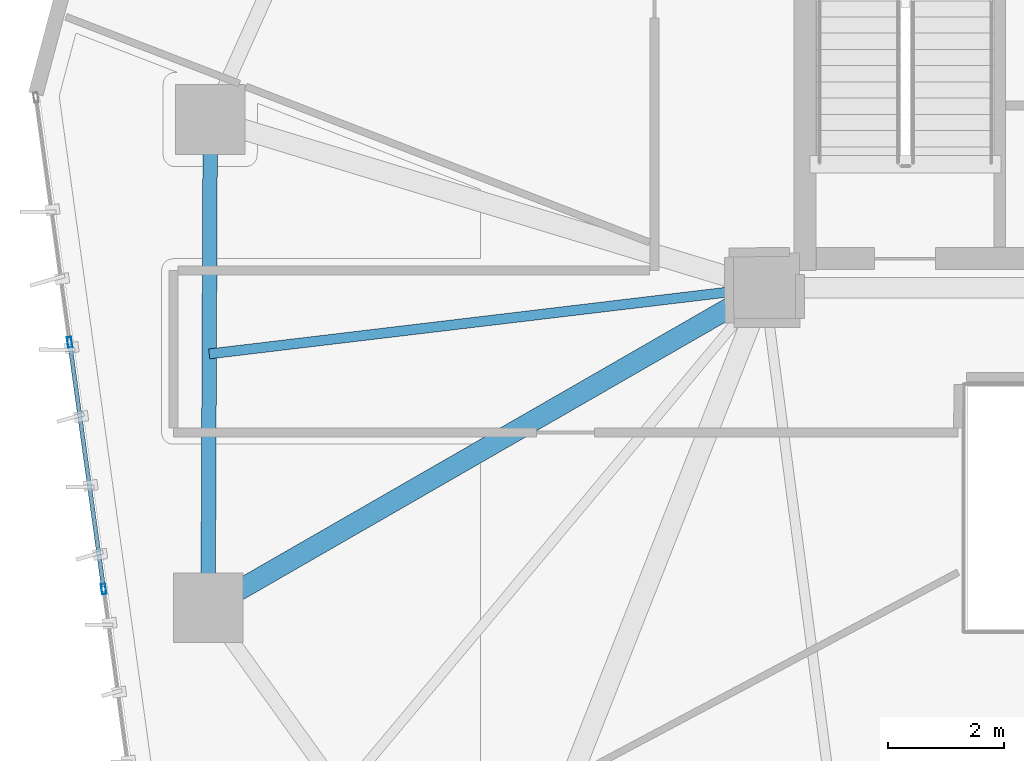
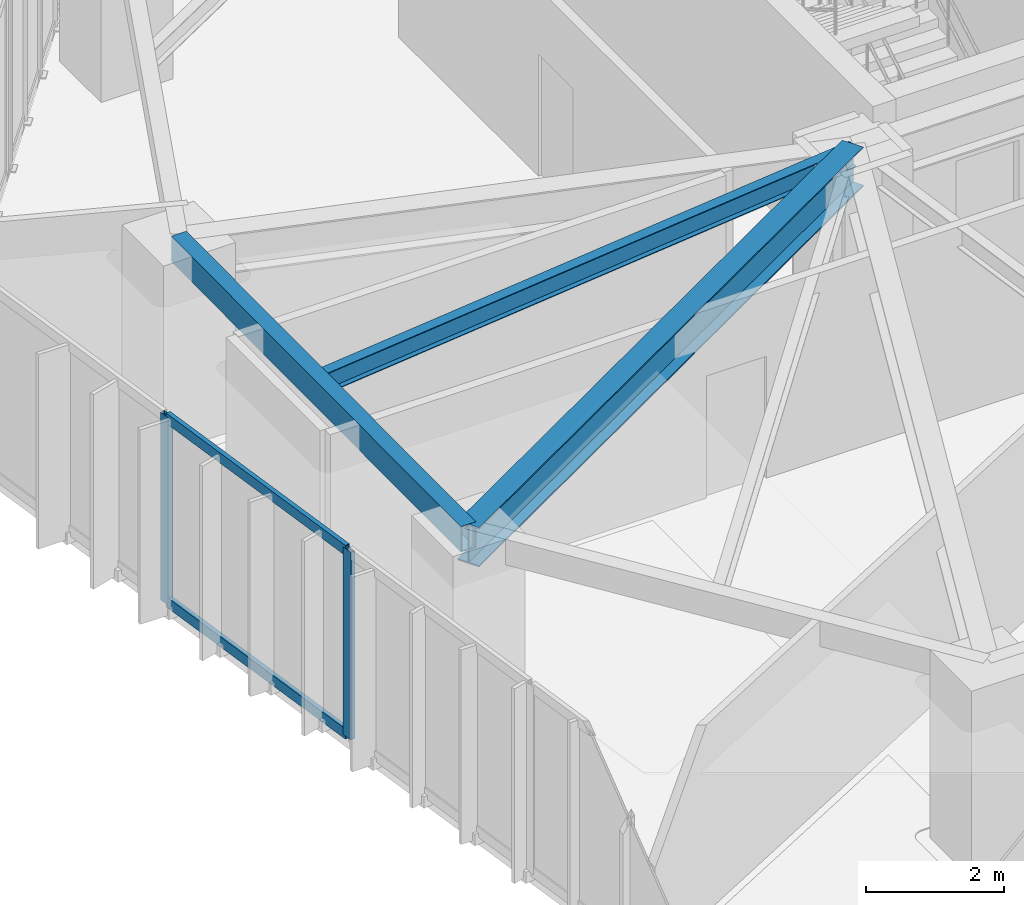
# One storey, part 4 of 22: 4 members, 3 beams, 1 element without a shape of its own.
"""IFC4 building model written with IfcOpenShell, lengths in metres."""

from ifc_helpers import new_model, si_unit, direction, frame, origin, origin_2d, place, context, subcontext, project, spatial, hollow_rectangle, i_section, extrude, source, transform, mapped, material, layer, layer_set, material_profile, profile_set, type_object, type_shapes, element, aggregate, save


model = new_model("IFC4")

# Units and contexts
model_context = context("Model", 3, precision=1e-05, world=origin(), true_north=direction((0.0, 1.0)))
body_context = subcontext(model_context, "Body", "Model", "MODEL_VIEW")
ifc_project = project(units=[si_unit("LENGTHUNIT", "METRE"), si_unit("AREAUNIT", "SQUARE_METRE"), si_unit("VOLUMEUNIT", "CUBIC_METRE"), si_unit("PLANEANGLEUNIT", "RADIAN"), si_unit("MASSUNIT", "GRAM", prefix="KILO")], contexts=[model_context])

# Site, building, storey
site_placement = place(None, origin())
site = spatial("IfcSite", under=ifc_project, at=site_placement, CompositionType="ELEMENT")
building_placement = place(site_placement, origin())
building = spatial("IfcBuilding", under=site, at=building_placement, Name="Talar Marvaseh", CompositionType="ELEMENT")
storey_placement = place(building_placement, frame((0.0, 0.0, 107.39990234375)))
storey = spatial("IfcBuildingStorey", under=building, at=storey_placement, Name="L27", CompositionType="ELEMENT", Elevation=107.39990234375)

# Beams
ifc_material_1 = material(Name="Steel S355", Category="steel")
ifc_material_profile_1 = material_profile(ifc_material_1, hollow_rectangle(XDim=0.25, YDim=0.449951171875, WallThickness=0.01611328125, at=origin_2d()), Name="RHS450x250x16")
ifc_profile_set_1 = profile_set([ifc_material_profile_1], Name="Steel S355")
beam_type_1 = type_object("IfcBeamType", Name="Zone 2 Perimeter Spandrel Beam RHS450x250x16", PredefinedType="SPANDREL", material=ifc_profile_set_1)
beam_1_placement = place(storey_placement, frame((9.10107421875, 19.97705078125, 3.085205078125), z_axis=(0.004375628226, 0.999990426893, 0.0), x_axis=(-0.999990426893, 0.004375628226, 0.0)))
element("IfcBeam", 1, at=beam_1_placement, inside=storey, type_object=beam_type_1, Name="L27 Zone 2 Perimeter Spandrel Beam RHS450x250x16", PredefinedType="SPANDREL", context=body_context, shape_type="SweptSolid", body=[
    extrude(hollow_rectangle(XDim=0.25, YDim=0.449951171875, WallThickness=0.01611328125, at=origin_2d()), origin(), (0.0, 0.0, 1.0), 8.425048828125),
])
ifc_material_profile_2 = material_profile(ifc_material_1, i_section(OverallWidth=0.35498046875, OverallDepth=0.695068359375, WebThickness=0.015380859375, FlangeThickness=0.02490234375, at=origin_2d()), Name="W690x217")
ifc_profile_set_2 = profile_set([ifc_material_profile_2], Name="Steel S355")
beam_type_2 = type_object("IfcBeamType", Name="Zone 2 Radial Floor Girder W690x217", PredefinedType="BEAM", material=ifc_profile_set_2)
beam_2_placement = place(storey_placement, frame((9.10107421875, 19.97705078125, 2.962646484375), z_axis=(0.866765990926, 0.498715065919, 0.0), x_axis=(-0.498715065919, 0.866765990926, 0.0)))
element("IfcBeam", 2, at=beam_2_placement, inside=storey, type_object=beam_type_2, Name="L27 Zone 2 Radial Floor Girder W690x217", PredefinedType="BEAM", context=body_context, shape_type="SweptSolid", body=[
    extrude(i_section(OverallWidth=0.35498046875, OverallDepth=0.695068359375, WebThickness=0.015380859375, FlangeThickness=0.02490234375, at=origin_2d()), origin(), (0.0, 0.0, 1.0), 11.074462890625),
])
ifc_material_profile_3 = material_profile(ifc_material_1, i_section(OverallWidth=0.172119140625, OverallDepth=0.35791015625, WebThickness=0.0078125, FlangeThickness=0.01318359375, at=origin_2d()), Name="W360x57")
ifc_profile_set_3 = profile_set([ifc_material_profile_3], Name="Steel S355")
beam_type_3 = type_object("IfcBeamType", Name="Zone 2 Secondary Floor Joist W360x57", PredefinedType="JOIST", material=ifc_profile_set_3)
beam_3_placement = place(storey_placement, frame((9.1201171875, 24.35791015625, 3.131103515625), z_axis=(0.992968386245, 0.118379829018, 0.0), x_axis=(-0.118379829018, 0.992968386245, 0.0)))
element("IfcBeam", 3, at=beam_3_placement, inside=storey, type_object=beam_type_3, Name="L27 Zone 2 Secondary Floor Joist W360x57", PredefinedType="JOIST", context=body_context, shape_type="SweptSolid", body=[
    extrude(i_section(OverallWidth=0.172119140625, OverallDepth=0.35791015625, WebThickness=0.0078125, FlangeThickness=0.01318359375, at=origin_2d()), origin(), (0.0, 0.0, 1.0), 9.647705078125),
])

# Curtain wall, members
ifc_material_2 = material(Name="Architectural Aluminium", Category="aluminium")
ifc_layer = layer(ifc_material_2, 0.199951171875)
ifc_layer_set = layer_set([ifc_layer], Name="Architectural Aluminium")
curtain_wall_type = type_object("IfcCurtainWallType", Name="Unitised Acoustic Library Curtain Wall Z2", PredefinedType="NOTDEFINED", material=ifc_layer_set)
curtain_wall_placement = place(storey_placement, origin())
curtain_wall = element("IfcCurtainWall", 4, at=curtain_wall_placement, inside=storey, type_object=curtain_wall_type, Name="L27 Unitised Acoustic Library Curtain Wall Z2", PredefinedType="NOTDEFINED")
ifc_material_profile_4 = material_profile(ifc_material_2, hollow_rectangle(XDim=0.074951171875, YDim=0.179931640625, WallThickness=0.0048828125, at=origin_2d()), Name="RHS180x75x5")
ifc_profile_set_4 = profile_set([ifc_material_profile_4], Name="Architectural Aluminium")
member_type_1 = type_object("IfcMemberType", Name="Unitised Curtain Wall Standard Mullion RHS180x75x5", PredefinedType="MULLION", material=ifc_profile_set_4)
shared_shape_1 = source(origin(), body_context, "Body", "SweptSolid", [
    extrude(hollow_rectangle(XDim=0.074951171875, YDim=0.179931640625, WallThickness=0.0048828125, at=origin_2d()), origin(), (0.0, 0.0, 1.0), 3.31005859375),
])
type_shapes(member_type_1, [shared_shape_1])
member_1_placement = place(storey_placement, frame((7.300048828125, 20.302978515625, 0.0), z_axis=(0.0, 0.0, 1.0), x_axis=(-0.990638035886, -0.136514767906, 0.0)))
member_1 = element("IfcMember", 5, at=member_1_placement, type_object=member_type_1, Name="CW-Z2 mullion 3", PredefinedType="MULLION", context=body_context, shape_type="MappedRepresentation", body=[
    mapped(shared_shape_1, transform((0.0, 0.0, 0.0), x_axis=(1.0, 0.0, 0.0), y_axis=(0.0, 1.0, 0.0), z_axis=(0.0, 0.0, 1.0), scale=1.0)),
])
member_2_placement = place(storey_placement, frame((6.713134765625, 24.560546875, 0.0), z_axis=(0.0, 0.0, 1.0), x_axis=(-0.990638035886, -0.136514767906, 0.0)))
member_2 = element("IfcMember", 6, at=member_2_placement, type_object=member_type_1, Name="CW-Z2 mullion 4", PredefinedType="MULLION", context=body_context, shape_type="MappedRepresentation", body=[
    mapped(shared_shape_1, transform((0.0, 0.0, 0.0), x_axis=(1.0, 0.0, 0.0), y_axis=(0.0, 1.0, 0.0), z_axis=(0.0, 0.0, 1.0), scale=1.0)),
])
ifc_material_profile_5 = material_profile(ifc_material_2, hollow_rectangle(XDim=0.074951171875, YDim=0.179931640625, WallThickness=0.0048828125, at=origin_2d()), Name="RHS180x75x5")
ifc_profile_set_5 = profile_set([ifc_material_profile_5], Name="Architectural Aluminium")
member_type_2 = type_object("IfcMemberType", Name="Unitised Curtain Wall Transom RHS180x75x5", PredefinedType="USERDEFINED", material=ifc_profile_set_5)
shared_shape_2 = source(origin(), body_context, "Body", "SweptSolid", [
    extrude(hollow_rectangle(XDim=0.074951171875, YDim=0.179931640625, WallThickness=0.0048828125, at=origin_2d()), origin(), (0.0, 0.0, 1.0), 4.222900390625),
])
type_shapes(member_type_2, [shared_shape_2])
member_3_placement = place(storey_placement, frame((7.294921875, 20.340087890625, 0.03759765625), z_axis=(-0.136555230144, 0.990632459149, 0.0), x_axis=(-0.990632459149, -0.136555230144, 0.0)))
member_3 = element("IfcMember", 7, at=member_3_placement, type_object=member_type_2, Name="CW-Z2 transom 3.1", ObjectType="TRANSOM", PredefinedType="USERDEFINED", context=body_context, shape_type="MappedRepresentation", body=[
    mapped(shared_shape_2, transform((0.0, 0.0, 0.0), x_axis=(1.0, 0.0, 0.0), y_axis=(0.0, 1.0, 0.0), z_axis=(0.0, 0.0, 1.0), scale=1.0)),
])
member_4_placement = place(storey_placement, frame((7.294921875, 20.340087890625, 3.272705078125), z_axis=(-0.136555230144, 0.990632459149, 0.0), x_axis=(-0.990632459149, -0.136555230144, 0.0)))
member_4 = element("IfcMember", 8, at=member_4_placement, type_object=member_type_2, Name="CW-Z2 transom 3.2", ObjectType="TRANSOM", PredefinedType="USERDEFINED", context=body_context, shape_type="MappedRepresentation", body=[
    mapped(shared_shape_2, transform((0.0, 0.0, 0.0), x_axis=(1.0, 0.0, 0.0), y_axis=(0.0, 1.0, 0.0), z_axis=(0.0, 0.0, 1.0), scale=1.0)),
])
aggregate(curtain_wall, [member_1, member_2, member_3, member_4])

save(model, "model.ifc")
